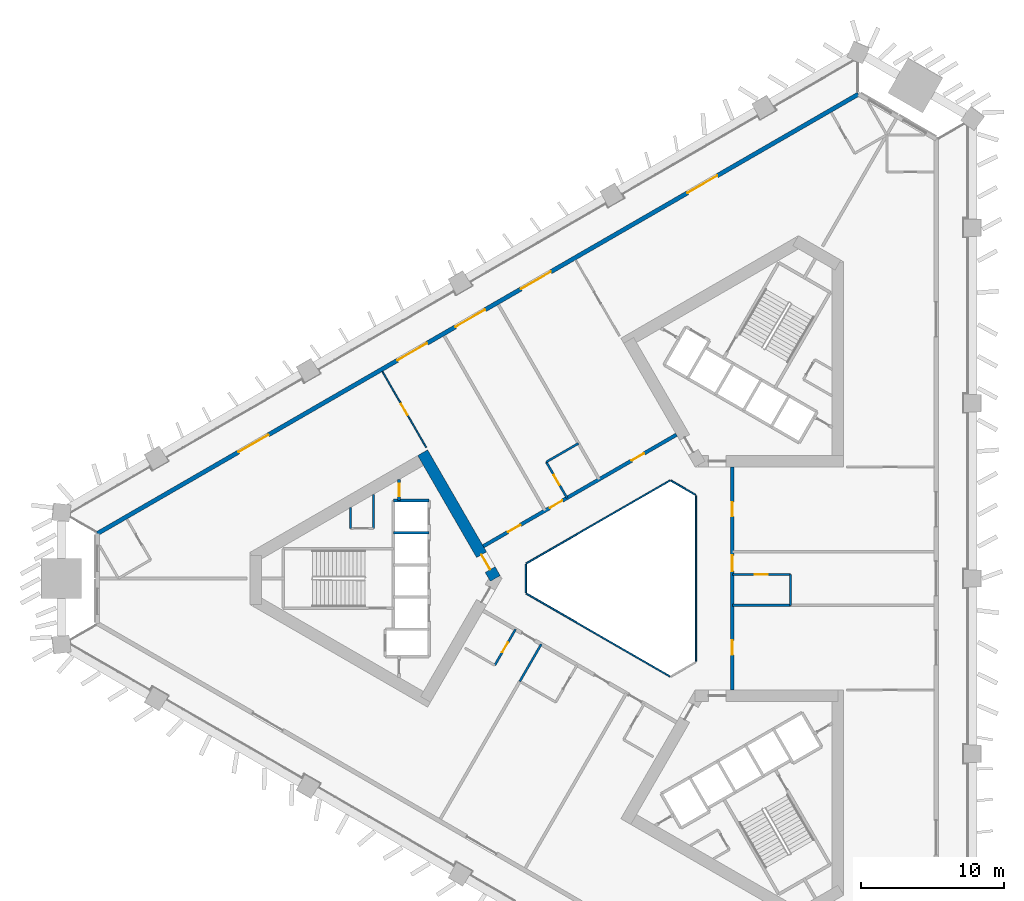
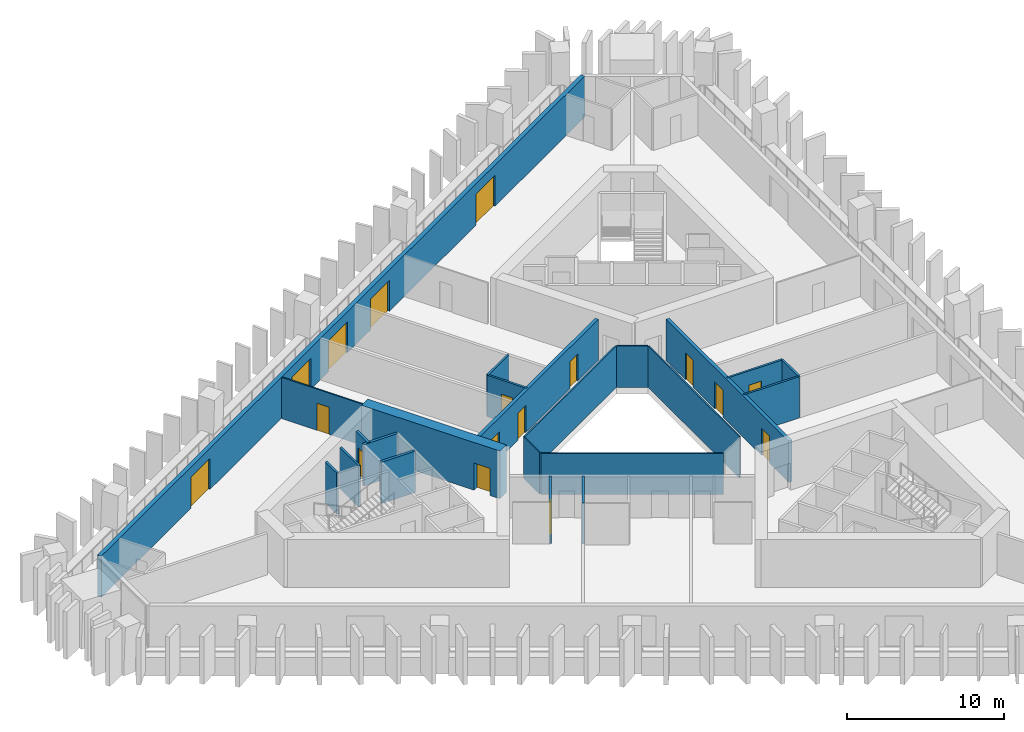
# One storey, part 4 of 10: 22 walls, 17 doors, 17 openings.
"""IFC4 building model written with IfcOpenShell, lengths in metres."""

from ifc_helpers import new_model, si_unit, direction, frame, frame_2d, origin, place, context, subcontext, project, spatial, rectangle, extrude, material, layer, layer_set, type_object, element, fill, save


model = new_model("IFC4")

# Units and contexts
model_context = context("Model", 3, precision=1e-05, world=origin(), true_north=direction((0.0, 1.0)))
body_context = subcontext(model_context, "Body", "Model", "MODEL_VIEW")
ifc_project = project(units=[si_unit("LENGTHUNIT", "METRE"), si_unit("AREAUNIT", "SQUARE_METRE"), si_unit("VOLUMEUNIT", "CUBIC_METRE"), si_unit("PLANEANGLEUNIT", "RADIAN"), si_unit("MASSUNIT", "GRAM", prefix="KILO")], contexts=[model_context])

# Site, building, storey
site_placement = place(None, origin())
site = spatial("IfcSite", under=ifc_project, at=site_placement, CompositionType="ELEMENT")
building_placement = place(site_placement, origin())
building = spatial("IfcBuilding", under=site, at=building_placement, Name="Jabali Bay Hotel Tower and Convention Centre", CompositionType="ELEMENT")
storey_placement = place(building_placement, frame((0.0, 0.0, 37.39990234375)))
storey = spatial("IfcBuildingStorey", under=building, at=storey_placement, Name="L07", CompositionType="ELEMENT", Elevation=37.39990234375)

# Walls
ifc_material_1 = material(Name="Fire-resistant glazing", Category="glass")
ifc_layer_1 = layer(ifc_material_1, 0.10009765625)
ifc_layer_set_1 = layer_set([ifc_layer_1], Name="Fire-resistant glazing")
wall_type_1 = type_object("IfcWallType", Name="Atrium glazed screen 100", PredefinedType="PARTITIONING", material=ifc_layer_set_1)
wall_1_placement = place(storey_placement, frame((79.56005859375, 74.205810546875, 0.0), z_axis=(0.0, 0.0, 1.0), x_axis=(0.0, 1.0, 0.0)))
element("IfcWall", 1, at=wall_1_placement, inside=storey, type_object=wall_type_1, Name="Atrium screen 1 L07", PredefinedType="PARTITIONING", context=body_context, shape_type="SweptSolid", body=[
    extrude(rectangle(XDim=11.58837890625, YDim=0.10009765625, at=frame_2d((5.794189453125, 0.0))), origin(), (0.0, 0.0, 1.0), 3.2001953125),
])
wall_2_placement = place(storey_placement, frame((79.530029296875, 85.84619140625, 0.0), z_axis=(0.0, 0.0, 1.0), x_axis=(-0.866041268327, 0.499972520799, 0.0)))
element("IfcWall", 2, at=wall_2_placement, inside=storey, type_object=wall_type_1, Name="Atrium screen 2 L07", PredefinedType="PARTITIONING", context=body_context, shape_type="SweptSolid", body=[
    extrude(rectangle(XDim=2.0, YDim=0.10009765625, at=frame_2d((1.0, 0.0))), origin(), (0.0, 0.0, 1.0), 3.2001953125),
])
wall_3_placement = place(storey_placement, frame((77.738037109375, 86.84619140625, 0.0), z_axis=(0.0, 0.0, 1.0), x_axis=(-0.866026658274, -0.499997827154, 0.0)))
element("IfcWall", 3, at=wall_3_placement, inside=storey, type_object=wall_type_1, Name="Atrium screen 3 L07", PredefinedType="PARTITIONING", context=body_context, shape_type="SweptSolid", body=[
    extrude(rectangle(XDim=11.58837890625, YDim=0.10009765625, at=frame_2d((5.794189453125, 0.0))), origin(), (0.0, 0.0, 1.0), 3.2001953125),
])
wall_4_placement = place(storey_placement, frame((67.672119140625, 81.0, 0.0), z_axis=(0.0, 0.0, 1.0), x_axis=(0.0, -1.0, 0.0)))
element("IfcWall", 4, at=wall_4_placement, inside=storey, type_object=wall_type_1, Name="Atrium screen 4 L07", PredefinedType="PARTITIONING", context=body_context, shape_type="SweptSolid", body=[
    extrude(rectangle(XDim=2.0, YDim=0.10009765625, at=frame_2d((1.0, 0.0))), origin(), (0.0, 0.0, 1.0), 3.2001953125),
])
wall_5_placement = place(storey_placement, frame((67.7021484375, 78.947998046875, 0.0), z_axis=(0.0, 0.0, 1.0), x_axis=(0.866026658274, -0.499997827154, 0.0)))
element("IfcWall", 5, at=wall_5_placement, inside=storey, type_object=wall_type_1, Name="Atrium screen 5 L07", PredefinedType="PARTITIONING", context=body_context, shape_type="SweptSolid", body=[
    extrude(rectangle(XDim=11.58837890625, YDim=0.10009765625, at=frame_2d((5.794189453125, 0.0))), origin(), (0.0, 0.0, 1.0), 3.2001953125),
])

# Wall, opening, door
ifc_material_2 = material(Name="Concrete C40", Category="concrete")
ifc_layer_2 = layer(ifc_material_2, 0.199951171875)
ifc_layer_set_2 = layer_set([ifc_layer_2], Name="Concrete C40")
wall_type_2 = type_object("IfcWallType", Name="Core partition wall 200", PredefinedType="PARTITIONING", material=ifc_layer_set_2)
wall_6_placement = place(storey_placement, frame((58.820068359375, 86.916748046875, 0.0), z_axis=(0.0, 0.0, 1.0), x_axis=(0.0, -1.0, 0.0)))
wall_6 = element("IfcWall", 6, at=wall_6_placement, inside=storey, type_object=wall_type_2, Name="Core wall 0.11 L07", PredefinedType="PARTITIONING", context=body_context, shape_type="SweptSolid", body=[
    extrude(rectangle(XDim=1.466796875, YDim=0.199951171875, at=frame_2d((0.7333984375, 0.0))), origin(), (0.0, 0.0, 1.0), 3.2001953125),
])
opening_1_placement = place(wall_6_placement, frame((0.283447265625, 0.0, 0.0)))
opening_1 = element("IfcOpeningElement", 7, at=opening_1_placement, cuts=wall_6, Name="Opening D237", PredefinedType="OPENING", context=body_context, shape_type="SweptSolid", body=[
    extrude(rectangle(XDim=0.89990234375, YDim=2.10009765625, at=frame_2d((0.449951171875, 1.050048828125))), frame((0.0, 0.1103515625, 0.0), z_axis=(0.0, -1.0, 0.0), x_axis=(1.0, 0.0, 0.0)), (0.0, 0.0, 1.0), 0.220947265625),
])
ifc_material_3 = material(Name="Fire-rated steel door", Category="steel")
door_type_1 = type_object("IfcDoorType", Name="Vestibule fire door 900 x 2100", OperationType="NOTDEFINED", PredefinedType="NOTDEFINED", material=ifc_material_3)
door_1_placement = place(opening_1_placement, origin())
door_1 = element("IfcDoor", 8, at=door_1_placement, inside=storey, type_object=door_type_1, Name="Vestibule fire door D237", OperationType="SINGLE_SWING_LEFT", OverallHeight=2.10009765625, OverallWidth=0.89990234375, PredefinedType="NOTDEFINED", context=body_context, shape_type="SweptSolid", body=[
    extrude(rectangle(XDim=0.89990234375, YDim=2.10009765625, at=frame_2d((0.449951171875, 1.050048828125))), frame((0.0, 0.02490234375, 0.0), z_axis=(0.0, -1.0, 0.0), x_axis=(1.0, 0.0, 0.0)), (0.0, 0.0, 1.0), 0.050048828125),
])
fill(opening_1, door_1)

# Walls
ifc_material_4 = material(Name="Fire-rated board partition")
ifc_layer_3 = layer(ifc_material_4, 0.14990234375)
ifc_layer_set_3 = layer_set([ifc_layer_3], Name="Fire-rated board partition")
wall_type_3 = type_object("IfcWallType", Name="Core room partition 150", PredefinedType="PARTITIONING", material=ifc_layer_set_3)
wall_7_placement = place(storey_placement, frame((57.02001953125, 85.87744140625, 0.0), z_axis=(0.0, 0.0, 1.0), x_axis=(0.0, -1.0, 0.0)))
element("IfcWall", 9, at=wall_7_placement, inside=storey, type_object=wall_type_3, Name="Core wall 0.15 L07", PredefinedType="PARTITIONING", context=body_context, shape_type="SweptSolid", body=[
    extrude(rectangle(XDim=2.37744140625, YDim=0.14990234375, at=frame_2d((1.188720703125, 0.0))), origin(), (0.0, 0.0, 1.0), 3.2001953125),
])
wall_8_placement = place(storey_placement, frame((55.419921875, 84.95361328125, 0.0), z_axis=(0.0, 0.0, 1.0), x_axis=(0.0, -1.0, 0.0)))
element("IfcWall", 10, at=wall_8_placement, inside=storey, type_object=wall_type_3, Name="Core wall 0.16 L07", PredefinedType="PARTITIONING", context=body_context, shape_type="SweptSolid", body=[
    extrude(rectangle(XDim=1.45361328125, YDim=0.14990234375, at=frame_2d((0.726806640625, 0.0))), origin(), (0.0, 0.0, 1.0), 3.2001953125),
])
ifc_layer_4 = layer(ifc_material_2, 0.199951171875)
ifc_layer_set_4 = layer_set([ifc_layer_4], Name="Concrete C40")
wall_type_4 = type_object("IfcWallType", Name="Core stair wall 200", PredefinedType="SOLIDWALL", material=ifc_layer_set_4)
for number, where, z_axis, x_axis, name in (
    (11, (60.89990234375, 85.449951171875, 0.0), (0.0, 0.0, 1.0), (-1.0, 0.0, 0.0), "Core wall 0.0 L07"),
    (12, (60.89990234375, 83.199951171875, 0.0), (0.0, 0.0, 1.0), (-1.0, 0.0, 0.0), "Core wall 0.2 L07"),
):
    element("IfcWall", number, at=place(storey_placement, frame(where, z_axis=z_axis, x_axis=x_axis)), inside=storey, type_object=wall_type_4, Name=name, PredefinedType="SOLIDWALL", context=body_context, shape_type="SweptSolid", body=[
        extrude(rectangle(XDim=2.47998046875, YDim=0.199951171875, at=frame_2d((1.239990234375, 0.0))), origin(), (0.0, 0.0, 1.0), 3.2001953125),
    ])

# Wall, opening, door
ifc_material_5 = material(Name="Concrete C60", Category="concrete")
ifc_layer_5 = layer(ifc_material_5, 0.800048828125)
ifc_layer_set_5 = layer_set([ifc_layer_5], Name="Concrete C60")
wall_type_5 = type_object("IfcWallType", Name="Core wall 800", PredefinedType="SHEAR", material=ifc_layer_set_5)
wall_9_placement = place(storey_placement, frame((65.5380859375, 80.0, 0.0), z_axis=(0.0, 0.0, 1.0), x_axis=(-0.49999662545, 0.866027352073, 0.0)))
wall_9 = element("IfcWall", 13, at=wall_9_placement, inside=storey, type_object=wall_type_5, Name="Core wall 1.1 L07", PredefinedType="SHEAR", context=body_context, shape_type="SweptSolid", body=[
    extrude(rectangle(XDim=10.14892578125, YDim=0.800048828125, at=frame_2d((5.074462890625, 0.0))), origin(), (0.0, 0.0, 1.0), 3.7001953125),
])
opening_2_placement = place(wall_9_placement, frame((0.718994140625, 0.0, 0.0)))
opening_2 = element("IfcOpeningElement", 14, at=opening_2_placement, cuts=wall_9, Name="Opening D234", PredefinedType="OPENING", context=body_context, shape_type="SweptSolid", body=[
    extrude(rectangle(XDim=1.199951171875, YDim=2.10009765625, at=frame_2d((0.60009765625, 1.050048828125))), frame((0.0, 0.41064453125, 0.0), z_axis=(0.0, -1.0, 0.0), x_axis=(1.0, 0.0, 0.0)), (0.0, 0.0, 1.0), 0.821044921875),
])
door_type_2 = type_object("IfcDoorType", Name="Corridor end fire door 1200 x 2100", OperationType="NOTDEFINED", PredefinedType="NOTDEFINED", material=ifc_material_3)
door_2_placement = place(opening_2_placement, origin())
door_2 = element("IfcDoor", 15, at=door_2_placement, inside=storey, type_object=door_type_2, Name="Corridor end fire door D234", OperationType="SINGLE_SWING_RIGHT", OverallHeight=2.10009765625, OverallWidth=1.199951171875, PredefinedType="NOTDEFINED", context=body_context, shape_type="SweptSolid", body=[
    extrude(rectangle(XDim=1.199951171875, YDim=2.10009765625, at=frame_2d((0.60009765625, 1.050048828125))), frame((0.0, 0.02490234375, 0.0), z_axis=(0.0, -1.0, 0.0), x_axis=(1.0, 0.0, 0.0)), (0.0, 0.0, 1.0), 0.050048828125),
])
fill(opening_2, door_2)

# Wall, openings, doors
ifc_layer_6 = layer(ifc_material_5, 0.25)
ifc_layer_set_6 = layer_set([ifc_layer_6], Name="Concrete C60")
wall_type_6 = type_object("IfcWallType", Name="Corridor wall 250", PredefinedType="SHEAR", material=ifc_layer_set_6)
wall_10_placement = place(storey_placement, frame((82.10009765625, 72.205810546875, 0.0), z_axis=(0.0, 0.0, 1.0), x_axis=(0.0, 1.0, 0.0)))
wall_10 = element("IfcWall", 16, at=wall_10_placement, inside=storey, type_object=wall_type_6, Name="Corridor wall 1 L07", PredefinedType="SHEAR", context=body_context, shape_type="SweptSolid", body=[
    extrude(rectangle(XDim=15.58837890625, YDim=0.25, at=frame_2d((7.794189453125, 0.0))), origin(), (0.0, 0.0, 1.0), 3.2001953125),
])
opening_3_placement = place(wall_10_placement, frame((2.4619140625, 0.0, 0.0)))
opening_3 = element("IfcOpeningElement", 17, at=opening_3_placement, cuts=wall_10, Name="Opening 0701", PredefinedType="OPENING", context=body_context, shape_type="SweptSolid", body=[
    extrude(rectangle(XDim=1.0, YDim=2.10009765625, at=frame_2d((0.5, 1.050048828125))), frame((0.0, 0.135498046875, 0.0), z_axis=(0.0, -1.0, 0.0), x_axis=(1.0, 0.0, 0.0)), (0.0, 0.0, 1.0), 0.27099609375),
])
opening_4_placement = place(wall_10_placement, frame((8.314697265625, 0.0, 0.0)))
opening_4 = element("IfcOpeningElement", 18, at=opening_4_placement, cuts=wall_10, Name="Opening 0705", PredefinedType="OPENING", context=body_context, shape_type="SweptSolid", body=[
    extrude(rectangle(XDim=1.10009765625, YDim=2.10009765625, at=frame_2d((0.550048828125, 1.050048828125))), frame((0.0, 0.135498046875, 0.0), z_axis=(0.0, -1.0, 0.0), x_axis=(1.0, 0.0, 0.0)), (0.0, 0.0, 1.0), 0.27099609375),
])
opening_5_placement = place(wall_10_placement, frame((12.126708984375, 0.0, 0.0)))
opening_5 = element("IfcOpeningElement", 19, at=opening_5_placement, cuts=wall_10, Name="Opening 0706", PredefinedType="OPENING", context=body_context, shape_type="SweptSolid", body=[
    extrude(rectangle(XDim=1.0, YDim=2.10009765625, at=frame_2d((0.5, 1.050048828125))), frame((0.0, 0.135498046875, 0.0), z_axis=(0.0, -1.0, 0.0), x_axis=(1.0, 0.0, 0.0)), (0.0, 0.0, 1.0), 0.27099609375),
])
ifc_material_6 = material(Name="Timber", Category="wood")
door_type_3 = type_object("IfcDoorType", Name="Accessible guest room door 1100 x 2100", OperationType="NOTDEFINED", PredefinedType="NOTDEFINED", material=ifc_material_6)
door_3_placement = place(opening_4_placement, origin())
door_3 = element("IfcDoor", 20, at=door_3_placement, inside=storey, type_object=door_type_3, Name="Door 0705", OperationType="SINGLE_SWING_RIGHT", OverallHeight=2.10009765625, OverallWidth=1.10009765625, PredefinedType="NOTDEFINED", context=body_context, shape_type="SweptSolid", body=[
    extrude(rectangle(XDim=1.10009765625, YDim=2.10009765625, at=frame_2d((0.550048828125, 1.050048828125))), frame((0.0, 0.02490234375, 0.0), z_axis=(0.0, -1.0, 0.0), x_axis=(1.0, 0.0, 0.0)), (0.0, 0.0, 1.0), 0.050048828125),
])
fill(opening_4, door_3)
door_type_4 = type_object("IfcDoorType", Name="Guest room door 1000 x 2100", OperationType="NOTDEFINED", PredefinedType="NOTDEFINED", material=ifc_material_6)
door_4_placement = place(opening_3_placement, origin())
door_4 = element("IfcDoor", 21, at=door_4_placement, inside=storey, type_object=door_type_4, Name="Door 0701", OperationType="SINGLE_SWING_LEFT", OverallHeight=2.10009765625, OverallWidth=1.0, PredefinedType="NOTDEFINED", context=body_context, shape_type="SweptSolid", body=[
    extrude(rectangle(XDim=1.0, YDim=2.10009765625, at=frame_2d((0.5, 1.050048828125))), frame((0.0, 0.02490234375, 0.0), z_axis=(0.0, -1.0, 0.0), x_axis=(1.0, 0.0, 0.0)), (0.0, 0.0, 1.0), 0.050048828125),
])
fill(opening_3, door_4)
door_5_placement = place(opening_5_placement, origin())
door_5 = element("IfcDoor", 22, at=door_5_placement, inside=storey, type_object=door_type_4, Name="Door 0706", OperationType="SINGLE_SWING_RIGHT", OverallHeight=2.10009765625, OverallWidth=1.0, PredefinedType="NOTDEFINED", context=body_context, shape_type="SweptSolid", body=[
    extrude(rectangle(XDim=1.0, YDim=2.10009765625, at=frame_2d((0.5, 1.050048828125))), frame((0.0, 0.02490234375, 0.0), z_axis=(0.0, -1.0, 0.0), x_axis=(1.0, 0.0, 0.0)), (0.0, 0.0, 1.0), 0.050048828125),
])
fill(opening_5, door_5)

wall_11_placement = place(storey_placement, frame((78.199951171875, 90.0458984375, 0.0), z_axis=(0.0, 0.0, 1.0), x_axis=(-0.866026492143, -0.499998114903, 0.0)))
wall_11 = element("IfcWall", 23, at=wall_11_placement, inside=storey, type_object=wall_type_6, Name="Corridor wall 2 L07", PredefinedType="SHEAR", context=body_context, shape_type="SweptSolid", body=[
    extrude(rectangle(XDim=15.58837890625, YDim=0.25, at=frame_2d((7.794189453125, 0.0))), origin(), (0.0, 0.0, 1.0), 3.2001953125),
])
opening_6_placement = place(wall_11_placement, frame((2.61767578125, 0.0, 0.0)))
opening_6 = element("IfcOpeningElement", 24, at=opening_6_placement, cuts=wall_11, Name="Opening 0709", PredefinedType="OPENING", context=body_context, shape_type="SweptSolid", body=[
    extrude(rectangle(XDim=1.0, YDim=2.10009765625, at=frame_2d((0.5, 1.050048828125))), frame((0.0, 0.135498046875, 0.0), z_axis=(0.0, -1.0, 0.0), x_axis=(1.0, 0.0, 0.0)), (0.0, 0.0, 1.0), 0.27099609375),
])
opening_7_placement = place(wall_11_placement, frame((9.2177734375, 0.0, 0.0)))
opening_7 = element("IfcOpeningElement", 25, at=opening_7_placement, cuts=wall_11, Name="Opening 0713", PredefinedType="OPENING", context=body_context, shape_type="SweptSolid", body=[
    extrude(rectangle(XDim=1.0, YDim=2.10009765625, at=frame_2d((0.5, 1.050048828125))), frame((0.0, 0.135498046875, 0.0), z_axis=(0.0, -1.0, 0.0), x_axis=(1.0, 0.0, 0.0)), (0.0, 0.0, 1.0), 0.27099609375),
])
opening_8_placement = place(wall_11_placement, frame((12.59423828125, 0.0, 0.0)))
opening_8 = element("IfcOpeningElement", 26, at=opening_8_placement, cuts=wall_11, Name="Opening 0714", PredefinedType="OPENING", context=body_context, shape_type="SweptSolid", body=[
    extrude(rectangle(XDim=1.0, YDim=2.10009765625, at=frame_2d((0.5, 1.050048828125))), frame((0.0, 0.135498046875, 0.0), z_axis=(0.0, -1.0, 0.0), x_axis=(1.0, 0.0, 0.0)), (0.0, 0.0, 1.0), 0.27099609375),
])
door_6_placement = place(opening_6_placement, origin())
door_6 = element("IfcDoor", 27, at=door_6_placement, inside=storey, type_object=door_type_4, Name="Door 0709", OperationType="SINGLE_SWING_LEFT", OverallHeight=2.10009765625, OverallWidth=1.0, PredefinedType="NOTDEFINED", context=body_context, shape_type="SweptSolid", body=[
    extrude(rectangle(XDim=1.0, YDim=2.10009765625, at=frame_2d((0.5, 1.050048828125))), frame((0.0, 0.02490234375, 0.0), z_axis=(0.0, -1.0, 0.0), x_axis=(1.0, 0.0, 0.0)), (0.0, 0.0, 1.0), 0.050048828125),
])
fill(opening_6, door_6)
door_7_placement = place(opening_7_placement, origin())
door_7 = element("IfcDoor", 28, at=door_7_placement, inside=storey, type_object=door_type_4, Name="Door 0713", OperationType="SINGLE_SWING_RIGHT", OverallHeight=2.10009765625, OverallWidth=1.0, PredefinedType="NOTDEFINED", context=body_context, shape_type="SweptSolid", body=[
    extrude(rectangle(XDim=1.0, YDim=2.10009765625, at=frame_2d((0.5, 1.050048828125))), frame((0.0, 0.02490234375, 0.0), z_axis=(0.0, -1.0, 0.0), x_axis=(1.0, 0.0, 0.0)), (0.0, 0.0, 1.0), 0.050048828125),
])
fill(opening_7, door_7)
door_8_placement = place(opening_8_placement, origin())
door_8 = element("IfcDoor", 29, at=door_8_placement, inside=storey, type_object=door_type_4, Name="Door 0714", OperationType="SINGLE_SWING_RIGHT", OverallHeight=2.10009765625, OverallWidth=1.0, PredefinedType="NOTDEFINED", context=body_context, shape_type="SweptSolid", body=[
    extrude(rectangle(XDim=1.0, YDim=2.10009765625, at=frame_2d((0.5, 1.050048828125))), frame((0.0, 0.02490234375, 0.0), z_axis=(0.0, -1.0, 0.0), x_axis=(1.0, 0.0, 0.0)), (0.0, 0.0, 1.0), 0.050048828125),
])
fill(opening_8, door_8)

ifc_layer_7 = layer(ifc_material_2, 0.300048828125)
ifc_layer_set_7 = layer_set([ifc_layer_7], Name="Concrete C40")
wall_type_7 = type_object("IfcWallType", Name="External wall 300", PredefinedType="SOLIDWALL", material=ifc_layer_set_7)
wall_12_placement = place(storey_placement, frame((37.73974609375, 83.141357421875, 0.0), z_axis=(0.0, 0.0, 1.0), x_axis=(0.866026524777, 0.499998058379, 0.0)))
wall_12 = element("IfcWall", 30, at=wall_12_placement, inside=storey, type_object=wall_type_7, Name="External wall north-west face L07", PredefinedType="SOLIDWALL", context=body_context, shape_type="SweptSolid", body=[
    extrude(rectangle(XDim=61.395263671875, YDim=0.300048828125, at=frame_2d((30.69775390625, 0.0))), origin(), (0.0, 0.0, 1.0), 3.2001953125),
])
opening_9_placement = place(wall_12_placement, frame((34.174072265625, 0.0, 0.0)))
opening_9 = element("IfcOpeningElement", 31, at=opening_9_placement, cuts=wall_12, Name="Opening SD1", PredefinedType="OPENING", context=body_context, shape_type="SweptSolid", body=[
    extrude(rectangle(XDim=2.39990234375, YDim=2.39990234375, at=frame_2d((1.199951171875, 1.199951171875))), frame((0.0, 0.16064453125, 0.0), z_axis=(0.0, -1.0, 0.0), x_axis=(1.0, 0.0, 0.0)), (0.0, 0.0, 1.0), 0.321044921875),
])
opening_10_placement = place(wall_12_placement, frame((47.602783203125, 0.0, 0.0)))
opening_10 = element("IfcOpeningElement", 32, at=opening_10_placement, cuts=wall_12, Name="Opening SD1", PredefinedType="OPENING", context=body_context, shape_type="SweptSolid", body=[
    extrude(rectangle(XDim=2.39990234375, YDim=2.39990234375, at=frame_2d((1.199951171875, 1.199951171875))), frame((0.0, 0.16064453125, 0.0), z_axis=(0.0, -1.0, 0.0), x_axis=(1.0, 0.0, 0.0)), (0.0, 0.0, 1.0), 0.321044921875),
])
opening_11_placement = place(wall_12_placement, frame((24.197509765625, 0.0, 0.0)))
opening_11 = element("IfcOpeningElement", 33, at=opening_11_placement, cuts=wall_12, Name="Opening SD1", PredefinedType="OPENING", context=body_context, shape_type="SweptSolid", body=[
    extrude(rectangle(XDim=2.39990234375, YDim=2.39990234375, at=frame_2d((1.199951171875, 1.199951171875))), frame((0.0, 0.16064453125, 0.0), z_axis=(0.0, -1.0, 0.0), x_axis=(1.0, 0.0, 0.0)), (0.0, 0.0, 1.0), 0.321044921875),
])
opening_12_placement = place(wall_12_placement, frame((11.394287109375, 0.0, 0.0)))
opening_12 = element("IfcOpeningElement", 34, at=opening_12_placement, cuts=wall_12, Name="Opening SD1", PredefinedType="OPENING", context=body_context, shape_type="SweptSolid", body=[
    extrude(rectangle(XDim=2.39990234375, YDim=2.39990234375, at=frame_2d((1.199951171875, 1.199951171875))), frame((0.0, 0.16064453125, 0.0), z_axis=(0.0, -1.0, 0.0), x_axis=(1.0, 0.0, 0.0)), (0.0, 0.0, 1.0), 0.321044921875),
])
opening_13_placement = place(wall_12_placement, frame((28.8740234375, 0.0, 0.0)))
opening_13 = element("IfcOpeningElement", 35, at=opening_13_placement, cuts=wall_12, Name="Opening SD1", PredefinedType="OPENING", context=body_context, shape_type="SweptSolid", body=[
    extrude(rectangle(XDim=2.39990234375, YDim=2.39990234375, at=frame_2d((1.199951171875, 1.199951171875))), frame((0.0, 0.16064453125, 0.0), z_axis=(0.0, -1.0, 0.0), x_axis=(1.0, 0.0, 0.0)), (0.0, 0.0, 1.0), 0.321044921875),
])
ifc_material_7 = material(Name="Glass", Category="glass")
door_type_5 = type_object("IfcDoorType", Name="Loggia sliding door 2400 x 2400", OperationType="NOTDEFINED", PredefinedType="NOTDEFINED", material=ifc_material_7)
door_9_placement = place(opening_9_placement, origin())
door_9 = element("IfcDoor", 36, at=door_9_placement, inside=storey, type_object=door_type_5, Name="Loggia sliding door 704", OperationType="SLIDING_TO_LEFT", OverallHeight=2.39990234375, OverallWidth=2.39990234375, PredefinedType="NOTDEFINED", context=body_context, shape_type="SweptSolid", body=[
    extrude(rectangle(XDim=2.39990234375, YDim=2.39990234375, at=frame_2d((1.199951171875, 1.199951171875))), frame((0.0, 0.02490234375, 0.0), z_axis=(0.0, -1.0, 0.0), x_axis=(1.0, 0.0, 0.0)), (0.0, 0.0, 1.0), 0.050048828125),
])
fill(opening_9, door_9)
door_10_placement = place(opening_10_placement, origin())
door_10 = element("IfcDoor", 37, at=door_10_placement, inside=storey, type_object=door_type_5, Name="Loggia sliding door 704", OperationType="SLIDING_TO_RIGHT", OverallHeight=2.39990234375, OverallWidth=2.39990234375, PredefinedType="NOTDEFINED", context=body_context, shape_type="SweptSolid", body=[
    extrude(rectangle(XDim=2.39990234375, YDim=2.39990234375, at=frame_2d((1.199951171875, 1.199951171875))), frame((0.0, 0.02490234375, 0.0), z_axis=(0.0, -1.0, 0.0), x_axis=(1.0, 0.0, 0.0)), (0.0, 0.0, 1.0), 0.050048828125),
])
fill(opening_10, door_10)
door_11_placement = place(opening_11_placement, origin())
door_11 = element("IfcDoor", 38, at=door_11_placement, inside=storey, type_object=door_type_5, Name="Loggia sliding door 706", OperationType="SLIDING_TO_LEFT", OverallHeight=2.39990234375, OverallWidth=2.39990234375, PredefinedType="NOTDEFINED", context=body_context, shape_type="SweptSolid", body=[
    extrude(rectangle(XDim=2.39990234375, YDim=2.39990234375, at=frame_2d((1.199951171875, 1.199951171875))), frame((0.0, 0.02490234375, 0.0), z_axis=(0.0, -1.0, 0.0), x_axis=(1.0, 0.0, 0.0)), (0.0, 0.0, 1.0), 0.050048828125),
])
fill(opening_11, door_11)
door_12_placement = place(opening_12_placement, origin())
door_12 = element("IfcDoor", 39, at=door_12_placement, inside=storey, type_object=door_type_5, Name="Loggia sliding door 706", OperationType="SLIDING_TO_RIGHT", OverallHeight=2.39990234375, OverallWidth=2.39990234375, PredefinedType="NOTDEFINED", context=body_context, shape_type="SweptSolid", body=[
    extrude(rectangle(XDim=2.39990234375, YDim=2.39990234375, at=frame_2d((1.199951171875, 1.199951171875))), frame((0.0, 0.02490234375, 0.0), z_axis=(0.0, -1.0, 0.0), x_axis=(1.0, 0.0, 0.0)), (0.0, 0.0, 1.0), 0.050048828125),
])
fill(opening_12, door_12)
door_13_placement = place(opening_13_placement, origin())
door_13 = element("IfcDoor", 40, at=door_13_placement, inside=storey, type_object=door_type_5, Name="Loggia sliding door 705", OperationType="SLIDING_TO_LEFT", OverallHeight=2.39990234375, OverallWidth=2.39990234375, PredefinedType="NOTDEFINED", context=body_context, shape_type="SweptSolid", body=[
    extrude(rectangle(XDim=2.39990234375, YDim=2.39990234375, at=frame_2d((1.199951171875, 1.199951171875))), frame((0.0, 0.02490234375, 0.0), z_axis=(0.0, -1.0, 0.0), x_axis=(1.0, 0.0, 0.0)), (0.0, 0.0, 1.0), 0.050048828125),
])
fill(opening_13, door_13)

# Wall, opening, door
ifc_material_8 = material(Name="Plasterboard on steel stud", Category="steel")
ifc_layer_8 = layer(ifc_material_8, 0.10009765625)
ifc_layer_set_8 = layer_set([ifc_layer_8], Name="Plasterboard on steel stud")
wall_type_8 = type_object("IfcWallType", Name="Partition 100 unit", PredefinedType="PARTITIONING", material=ifc_layer_set_8)
wall_13_placement = place(storey_placement, frame((57.649169921875, 94.464111328125, 0.0), z_axis=(0.0, 0.0, 1.0), x_axis=(0.499985929336, -0.866033527334, 0.0)))
wall_13 = element("IfcWall", 41, at=wall_13_placement, inside=storey, type_object=wall_type_8, Name="Partition P02 L07 024", PredefinedType="PARTITIONING", context=body_context, shape_type="SweptSolid", body=[
    extrude(rectangle(XDim=6.122802734375, YDim=0.10009765625, at=frame_2d((3.0615234375, 0.0))), origin(), (0.0, 0.0, 1.0), 3.2001953125),
])
opening_14_placement = place(wall_13_placement, frame((2.611083984375, 0.0, 0.0)))
opening_14 = element("IfcOpeningElement", 42, at=opening_14_placement, cuts=wall_13, Name="Opening 0715", PredefinedType="OPENING", context=body_context, shape_type="SweptSolid", body=[
    extrude(rectangle(XDim=0.89990234375, YDim=2.10009765625, at=frame_2d((0.449951171875, 1.050048828125))), frame((0.0, 0.060546875, 0.0), z_axis=(0.0, -1.0, 0.0), x_axis=(1.0, 0.0, 0.0)), (0.0, 0.0, 1.0), 0.12109375),
])
door_type_6 = type_object("IfcDoorType", Name="Internal door 900 x 2100", OperationType="NOTDEFINED", PredefinedType="NOTDEFINED", material=ifc_material_6)
door_14_placement = place(opening_14_placement, origin())
door_14 = element("IfcDoor", 43, at=door_14_placement, inside=storey, type_object=door_type_6, Name="Door 0715", OperationType="SINGLE_SWING_LEFT", OverallHeight=2.10009765625, OverallWidth=0.89990234375, PredefinedType="NOTDEFINED", context=body_context, shape_type="SweptSolid", body=[
    extrude(rectangle(XDim=0.89990234375, YDim=2.10009765625, at=frame_2d((0.449951171875, 1.050048828125))), frame((0.0, 0.02490234375, 0.0), z_axis=(0.0, -1.0, 0.0), x_axis=(1.0, 0.0, 0.0)), (0.0, 0.0, 1.0), 0.050048828125),
])
fill(opening_14, door_14)

# Wall
ifc_layer_9 = layer(ifc_material_8, 0.14990234375)
ifc_layer_set_9 = layer_set([ifc_layer_9], Name="Plasterboard on steel stud")
wall_type_9 = type_object("IfcWallType", Name="Partition 150 wet", PredefinedType="PARTITIONING", material=ifc_layer_set_9)
wall_14_placement = place(storey_placement, frame((86.1630859375, 78.12939453125, 0.0), z_axis=(0.0, 0.0, 1.0), x_axis=(-1.0, 0.0, 0.0)))
element("IfcWall", 44, at=wall_14_placement, inside=storey, type_object=wall_type_9, Name="Partition P03 L07 003", PredefinedType="PARTITIONING", context=body_context, shape_type="SweptSolid", body=[
    extrude(rectangle(XDim=4.06298828125, YDim=0.14990234375, at=frame_2d((2.031494140625, 0.0))), origin(), (0.0, 0.0, 1.0), 3.2001953125),
])

# Wall, opening, door
wall_15_placement = place(storey_placement, frame((82.10009765625, 80.2705078125, 0.0), z_axis=(0.0, 0.0, 1.0), x_axis=(1.0, 0.0, 0.0)))
wall_15 = element("IfcWall", 45, at=wall_15_placement, inside=storey, type_object=wall_type_9, Name="Partition P03 L07 008", PredefinedType="PARTITIONING", context=body_context, shape_type="SweptSolid", body=[
    extrude(rectangle(XDim=4.06298828125, YDim=0.14990234375, at=frame_2d((2.031494140625, 0.0))), origin(), (0.0, 0.0, 1.0), 3.2001953125),
])
opening_15_placement = place(wall_15_placement, frame((1.58203125, 0.0, 0.0)))
opening_15 = element("IfcOpeningElement", 46, at=opening_15_placement, cuts=wall_15, Name="Opening 0704", PredefinedType="OPENING", context=body_context, shape_type="SweptSolid", body=[
    extrude(rectangle(XDim=0.89990234375, YDim=2.10009765625, at=frame_2d((0.449951171875, 1.050048828125))), frame((0.0, 0.08544921875, 0.0), z_axis=(0.0, -1.0, 0.0), x_axis=(1.0, 0.0, 0.0)), (0.0, 0.0, 1.0), 0.1708984375),
])
door_type_7 = type_object("IfcDoorType", Name="Accessible en-suite door 900 x 2100", OperationType="NOTDEFINED", PredefinedType="NOTDEFINED", material=ifc_material_6)
door_15_placement = place(opening_15_placement, origin())
door_15 = element("IfcDoor", 47, at=door_15_placement, inside=storey, type_object=door_type_7, Name="Door 0704", OperationType="SINGLE_SWING_RIGHT", OverallHeight=2.10009765625, OverallWidth=0.89990234375, PredefinedType="NOTDEFINED", context=body_context, shape_type="SweptSolid", body=[
    extrude(rectangle(XDim=0.89990234375, YDim=2.10009765625, at=frame_2d((0.449951171875, 1.050048828125))), frame((0.0, 0.02490234375, 0.0), z_axis=(0.0, -1.0, 0.0), x_axis=(1.0, 0.0, 0.0)), (0.0, 0.0, 1.0), 0.050048828125),
])
fill(opening_15, door_15)

# Wall
wall_16_placement = place(storey_placement, frame((86.1630859375, 80.2705078125, 0.0), z_axis=(0.0, 0.0, 1.0), x_axis=(0.0, -1.0, 0.0)))
element("IfcWall", 48, at=wall_16_placement, inside=storey, type_object=wall_type_9, Name="Partition P03 L07 009", PredefinedType="PARTITIONING", context=body_context, shape_type="SweptSolid", body=[
    extrude(rectangle(XDim=2.14111328125, YDim=0.14990234375, at=frame_2d((1.070556640625, 0.0))), origin(), (0.0, 0.0, 1.0), 3.2001953125),
])

# Wall, opening, door
wall_17_placement = place(storey_placement, frame((70.54833984375, 85.628173828125, 0.0), z_axis=(0.0, 0.0, 1.0), x_axis=(-0.499987231761, 0.866032775405, 0.0)))
wall_17 = element("IfcWall", 49, at=wall_17_placement, inside=storey, type_object=wall_type_9, Name="Partition P03 L07 021", PredefinedType="PARTITIONING", context=body_context, shape_type="SweptSolid", body=[
    extrude(rectangle(XDim=2.89990234375, YDim=0.14990234375, at=frame_2d((1.449951171875, 0.0))), origin(), (0.0, 0.0, 1.0), 3.2001953125),
])
opening_16_placement = place(wall_17_placement, frame((1.050048828125, 0.0, 0.0)))
opening_16 = element("IfcOpeningElement", 50, at=opening_16_placement, cuts=wall_17, Name="Opening 0712", PredefinedType="OPENING", context=body_context, shape_type="SweptSolid", body=[
    extrude(rectangle(XDim=0.800048828125, YDim=2.10009765625, at=frame_2d((0.39990234375, 1.050048828125))), frame((0.0, 0.08544921875, 0.0), z_axis=(0.0, -1.0, 0.0), x_axis=(1.0, 0.0, 0.0)), (0.0, 0.0, 1.0), 0.1708984375),
])
door_type_8 = type_object("IfcDoorType", Name="En-suite door 800 x 2100", OperationType="NOTDEFINED", PredefinedType="NOTDEFINED", material=ifc_material_6)
door_16_placement = place(opening_16_placement, origin())
door_16 = element("IfcDoor", 51, at=door_16_placement, inside=storey, type_object=door_type_8, Name="Door 0712", OperationType="SINGLE_SWING_RIGHT", OverallHeight=2.10009765625, OverallWidth=0.800048828125, PredefinedType="NOTDEFINED", context=body_context, shape_type="SweptSolid", body=[
    extrude(rectangle(XDim=0.800048828125, YDim=2.10009765625, at=frame_2d((0.39990234375, 1.050048828125))), frame((0.0, 0.02490234375, 0.0), z_axis=(0.0, -1.0, 0.0), x_axis=(1.0, 0.0, 0.0)), (0.0, 0.0, 1.0), 0.050048828125),
])
fill(opening_16, door_16)

# Wall
wall_18_placement = place(storey_placement, frame((69.098388671875, 88.1396484375, 0.0), z_axis=(0.0, 0.0, 1.0), x_axis=(0.866021400173, 0.500006934395, 0.0)))
element("IfcWall", 52, at=wall_18_placement, inside=storey, type_object=wall_type_9, Name="Partition P03 L07 022", PredefinedType="PARTITIONING", context=body_context, shape_type="SweptSolid", body=[
    extrude(rectangle(XDim=2.60009765625, YDim=0.14990234375, at=frame_2d((1.300048828125, 0.0))), origin(), (0.0, 0.0, 1.0), 3.2001953125),
])

# Wall, opening, door
wall_19_placement = place(storey_placement, frame((66.95166015625, 76.4482421875, 0.0), z_axis=(0.0, 0.0, 1.0), x_axis=(-0.499987231761, -0.866032775405, 0.0)))
wall_19 = element("IfcWall", 53, at=wall_19_placement, inside=storey, type_object=wall_type_9, Name="Partition P03 L07 029", PredefinedType="PARTITIONING", context=body_context, shape_type="SweptSolid", body=[
    extrude(rectangle(XDim=2.89990234375, YDim=0.14990234375, at=frame_2d((1.449951171875, 0.0))), origin(), (0.0, 0.0, 1.0), 3.2001953125),
])
opening_17_placement = place(wall_19_placement, frame((1.050048828125, 0.0, 0.0)))
opening_17 = element("IfcOpeningElement", 54, at=opening_17_placement, cuts=wall_19, Name="Opening 0717", PredefinedType="OPENING", context=body_context, shape_type="SweptSolid", body=[
    extrude(rectangle(XDim=0.800048828125, YDim=2.10009765625, at=frame_2d((0.39990234375, 1.050048828125))), frame((0.0, 0.08544921875, 0.0), z_axis=(0.0, -1.0, 0.0), x_axis=(1.0, 0.0, 0.0)), (0.0, 0.0, 1.0), 0.1708984375),
])
door_17_placement = place(opening_17_placement, origin())
door_17 = element("IfcDoor", 55, at=door_17_placement, inside=storey, type_object=door_type_8, Name="Door 0717", OperationType="SINGLE_SWING_RIGHT", OverallHeight=2.10009765625, OverallWidth=0.800048828125, PredefinedType="NOTDEFINED", context=body_context, shape_type="SweptSolid", body=[
    extrude(rectangle(XDim=0.800048828125, YDim=2.10009765625, at=frame_2d((0.39990234375, 1.050048828125))), frame((0.0, 0.02490234375, 0.0), z_axis=(0.0, -1.0, 0.0), x_axis=(1.0, 0.0, 0.0)), (0.0, 0.0, 1.0), 0.050048828125),
])
fill(opening_17, door_17)

# Wall
wall_20_placement = place(storey_placement, frame((67.25, 72.81201171875, 0.0), z_axis=(0.0, 0.0, 1.0), x_axis=(0.499990139034, 0.866031096941, 0.0)))
element("IfcWall", 56, at=wall_20_placement, inside=storey, type_object=wall_type_9, Name="Partition P03 L07 032", PredefinedType="PARTITIONING", context=body_context, shape_type="SweptSolid", body=[
    extrude(rectangle(XDim=3.0, YDim=0.14990234375, at=frame_2d((1.5, 0.0))), origin(), (0.0, 0.0, 1.0), 3.2001953125),
])

save(model, "model.ifc")
